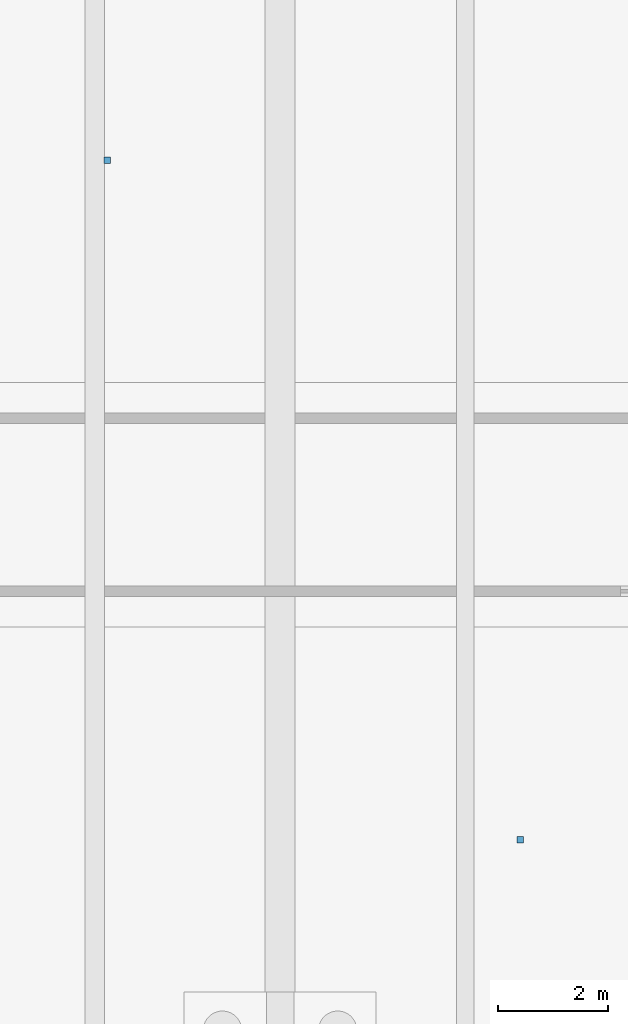
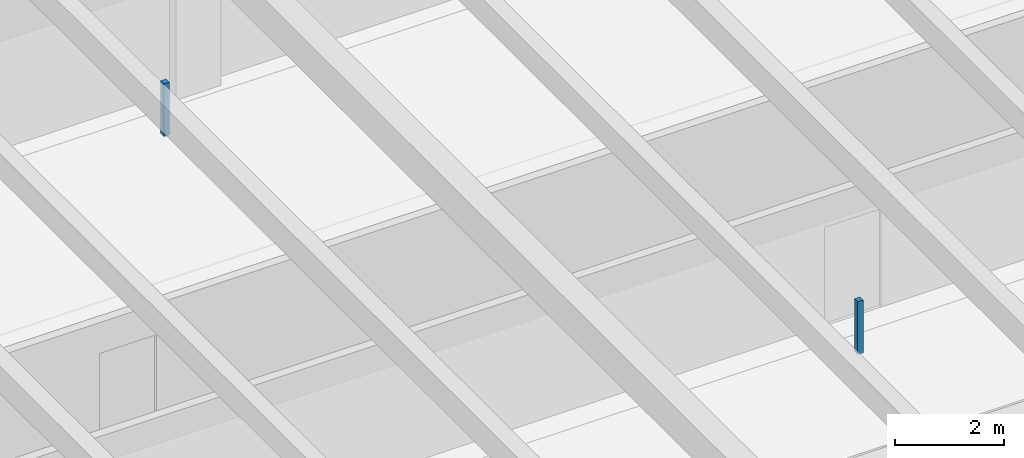
# One storey, part 27 of 41: 2 discrete accessories.
"""IFC4 building model written with IfcOpenShell, lengths in metres."""

import ifcopenshell
import ifcopenshell.guid

model = None  # the IFC model being written
_history = None  # IfcOwnerHistory: only IFC2X3 demands one
_inside = {}  # id of a spatial element -> (the spatial element, [elements in it])
_under = {}  # id of a project, library or spatial element -> (it, [spatial elements below it])
_declared = {}  # id of a project -> (the project, [libraries it declares])
_typed = {}  # id of a type object -> (the type object, [elements of that type])
_made_of = {}  # id of a material, layer set ... -> (it, [elements and type objects made of it])


def new_model(schema):
    """Start an empty IFC model of exactly this schema.

    Asked for "IFC4X3", IfcOpenShell would pick the latest addendum, in which some entities
    have other attributes; the version numbers below select the first issue.
    IFC2X3 requires an IfcOwnerHistory on every rooted entity: one is made here for all.
    """
    global model, _history
    if schema == "IFC4X3":
        model = ifcopenshell.file(schema_version=(4, 3, 0, 0))
    else:
        model = ifcopenshell.file(schema=schema)
    _inside.clear()
    _under.clear()
    _declared.clear()
    _typed.clear()
    _made_of.clear()
    _history = None
    if model.schema == "IFC2X3":
        org = make("IfcOrganization", Name="unknown")
        user = make(
            "IfcPersonAndOrganization",
            ThePerson=make("IfcPerson", FamilyName="unknown"),
            TheOrganization=org,
        )
        app = make(
            "IfcApplication",
            ApplicationDeveloper=org,
            Version="unknown",
            ApplicationFullName="unknown",
            ApplicationIdentifier="unknown",
        )
        _history = make(
            "IfcOwnerHistory",
            OwningUser=user,
            OwningApplication=app,
            ChangeAction="ADDED",
            CreationDate=0,
        )
    return model


def make(cls, **values):
    """One entity of the class cls with the attributes given. An attribute that is None is left unset."""
    return model.create_entity(
        cls, **{name: value for name, value in values.items() if value is not None}
    )


def rooted(cls, **values):
    """An entity with a GlobalId (a new one), such as an element, a storey or a relation."""
    return make(cls, GlobalId=ifcopenshell.guid.new(), OwnerHistory=_history, **values)


def si_unit(unit_type, name, prefix=None):
    """IfcSIUnit, for example si_unit("LENGTHUNIT", "METRE", prefix="MILLI")."""
    return make("IfcSIUnit", UnitType=unit_type, Prefix=prefix, Name=name)


def assignment(units):
    """IfcUnitAssignment: the units of a project."""
    return None if units is None else make("IfcUnitAssignment", Units=units)


def point(xyz):
    """IfcCartesianPoint."""
    return None if xyz is None else make("IfcCartesianPoint", Coordinates=xyz)


def direction(xyz):
    """IfcDirection."""
    return None if xyz is None else make("IfcDirection", DirectionRatios=xyz)


def frame(location, z_axis=None, x_axis=None):
    """IfcAxis2Placement3D, a coordinate frame: its origin and axes. An axis left out is left unset."""
    return make(
        "IfcAxis2Placement3D",
        Location=point(location),
        Axis=direction(z_axis),
        RefDirection=direction(x_axis),
    )


def frame_2d(location, x_axis=None):
    """IfcAxis2Placement2D, a coordinate frame in the plane: its origin and x axis."""
    return make(
        "IfcAxis2Placement2D", Location=point(location), RefDirection=direction(x_axis)
    )


def origin():
    """The frame at (0, 0, 0) with its axes left unset."""
    return frame((0.0, 0.0, 0.0))


def origin_2d():
    """The frame at (0, 0) in the plane with its x axis left unset."""
    return frame_2d((0.0, 0.0))


def place(relative_to, where):
    """IfcLocalPlacement: puts the frame where relative to a parent placement (None: the world)."""
    return make(
        "IfcLocalPlacement", PlacementRelTo=relative_to, RelativePlacement=where
    )


def context(
    kind, dimensions, precision=None, world=None, true_north=None, identifier=None
):
    """IfcGeometricRepresentationContext, for example the 3D "Model" context."""
    return make(
        "IfcGeometricRepresentationContext",
        ContextIdentifier=identifier,
        ContextType=kind,
        CoordinateSpaceDimension=dimensions,
        Precision=precision,
        WorldCoordinateSystem=world,
        TrueNorth=true_north,
    )


def subcontext(parent, identifier, kind, view, scale=None):
    """IfcGeometricRepresentationSubContext, for example "Body" below "Model"."""
    return make(
        "IfcGeometricRepresentationSubContext",
        ContextIdentifier=identifier,
        ContextType=kind,
        ParentContext=parent,
        TargetScale=scale,
        TargetView=view,
    )


def project(units=None, contexts=None):
    """IfcProject with its units and contexts."""
    return rooted(
        "IfcProject",
        Name="project",
        RepresentationContexts=contexts,
        UnitsInContext=assignment(units),
    )


def spatial(cls, under=None, at=None, **own):
    """A site, building, storey or space (cls), placed at a placement, below another one or the project."""
    s = rooted(cls, ObjectPlacement=at, **own)
    if under is not None:
        _under.setdefault(under.id(), (under, []))[1].append(s)
    return s


def profile(cls, at=None, kind="AREA", **sizes):
    """A parametric profile (cls). Its sizes go by their IFC names, for example OverallWidth=200.0."""
    return make(cls, ProfileType=kind, Position=at, **sizes)


def rectangle(**sizes):
    """IfcRectangleProfileDef."""
    return profile("IfcRectangleProfileDef", **sizes)


def extrude(swept, where, along, depth):
    """IfcExtrudedAreaSolid: the profile swept, set in the frame where, extruded along a direction by depth."""
    return make(
        "IfcExtrudedAreaSolid",
        SweptArea=swept,
        Position=where,
        ExtrudedDirection=direction(along),
        Depth=depth,
    )


def shape(context_of_items, identifier, shape_type, items):
    """IfcShapeRepresentation: the items that make up one representation, for example the "Body"."""
    return make(
        "IfcShapeRepresentation",
        ContextOfItems=context_of_items,
        RepresentationIdentifier=identifier,
        RepresentationType=shape_type,
        Items=items,
    )


def material(Name=None, Category=None):
    """IfcMaterial."""
    return make("IfcMaterial", Name=Name, Category=Category)


def made_of(thing, what):
    """Note that an element or type object is made of a material, layer set ...; save() writes the relation."""
    if what is not None:
        _made_of.setdefault(what.id(), (what, []))[1].append(thing)
    return thing


def type_object(cls, material=None, **own):
    """A type object (cls), such as IfcWallType, which elements share."""
    return made_of(rooted(cls, **own), material)


def element(
    cls,
    number,
    at=None,
    inside=None,
    cuts=None,
    type_object=None,
    material=None,
    context=None,
    identifier="Body",
    shape_type=None,
    held_by="IfcProductDefinitionShape",
    body=None,
    shapes=None,
    **own,
):
    """One element of the class cls, such as IfcWall. Its Tag is "e" and its number.

    at: its placement. inside: the storey or other place that contains it. cuts: it is an
    opening in that element (IfcRelVoidsElement). A single representation is given by context,
    identifier, shape_type and body (its items); several are given by shapes. held_by: the class
    of the entity that holds the representations. save() writes the other relations.
    """
    e = rooted(cls, Tag="e%d" % number, ObjectPlacement=at, **own)
    if body is not None:
        shapes = [shape(context, identifier, shape_type, body)]
    if shapes is not None:
        e.Representation = make(held_by, Representations=shapes)
    if inside is not None:
        _inside.setdefault(inside.id(), (inside, []))[1].append(e)
    if cuts is not None:
        rooted(
            "IfcRelVoidsElement", RelatingBuildingElement=cuts, RelatedOpeningElement=e
        )
    if type_object is not None:
        _typed.setdefault(type_object.id(), (type_object, []))[1].append(e)
    return made_of(e, material)


def aggregate(whole, parts):
    """IfcRelAggregates: a whole, such as a stair, and the parts it consists of."""
    return rooted("IfcRelAggregates", RelatingObject=whole, RelatedObjects=parts)


def save(model, path):
    """Write the relations noted so far, then the file.

    IfcRelAggregates (storeys below a building ...), IfcRelContainedInSpatialStructure (elements
    in a storey), IfcRelDefinesByType, IfcRelAssociatesMaterial and IfcRelDeclares: one each for
    every whole, place, type object, material and project.
    """
    for whole, parts in _under.values():
        aggregate(whole, parts)
    for where, things in _inside.values():
        rooted(
            "IfcRelContainedInSpatialStructure",
            RelatedElements=things,
            RelatingStructure=where,
        )
    for kind, things in _typed.values():
        rooted("IfcRelDefinesByType", RelatedObjects=things, RelatingType=kind)
    for what, things in _made_of.values():
        rooted("IfcRelAssociatesMaterial", RelatedObjects=things, RelatingMaterial=what)
    for by, libraries in _declared.values():
        rooted("IfcRelDeclares", RelatingContext=by, RelatedDefinitions=libraries)
    model.write(path)


model = new_model("IFC4")

# Units and contexts
model_context = context("Model", 3, precision=1e-05, world=origin(), true_north=direction((0.0, 1.0)))
body_context = subcontext(model_context, "Body", "Model", "MODEL_VIEW")
ifc_project = project(units=[si_unit("LENGTHUNIT", "METRE"), si_unit("AREAUNIT", "SQUARE_METRE"), si_unit("VOLUMEUNIT", "CUBIC_METRE"), si_unit("PLANEANGLEUNIT", "RADIAN"), si_unit("MASSUNIT", "GRAM", prefix="KILO")], contexts=[model_context])

# Site, building, storey
site_placement = place(None, origin())
site = spatial("IfcSite", under=ifc_project, at=site_placement, CompositionType="ELEMENT")
building_placement = place(site_placement, origin())
building = spatial("IfcBuilding", under=site, at=building_placement, Name="Fikremerkos Civic Library", CompositionType="ELEMENT")
storey_placement = place(building_placement, frame((0.0, 0.0, -8.39990234375)))
storey = spatial("IfcBuildingStorey", under=building, at=storey_placement, Name="B02", CompositionType="ELEMENT", Elevation=-8.39990234375)

# Discrete accessories
ifc_material = material(Name="Galvanized Steel S275", Category="steel")
discrete_accessory_type = type_object("IfcDiscreteAccessoryType", Name="Ceiling hanger bracket BRK-01", PredefinedType="BRACKET", material=ifc_material)
for number, where, z_axis, x_axis, name in (
    (1, (97.050048828125, 112.89990234375, 2.73974609375), (0.0, 0.0, 1.0), (1.0, 0.0, 0.0), "Acoustic ceiling hanger bracket #10"),
    (2, (104.574951171875, 100.52490234375, 2.73974609375), (0.0, 0.0, 1.0), (1.0, 0.0, 0.0), "Acoustic ceiling hanger bracket #11"),
):
    element("IfcDiscreteAccessory", number, at=place(storey_placement, frame(where, z_axis=z_axis, x_axis=x_axis)), inside=storey, type_object=discrete_accessory_type, Name=name, PredefinedType="BRACKET", context=body_context, shape_type="SweptSolid", body=[
        extrude(rectangle(XDim=0.1201171875, YDim=0.1201171875, at=origin_2d()), origin(), (0.0, 0.0, 1.0), 1.179931640625),
    ])

save(model, "model.ifc")
